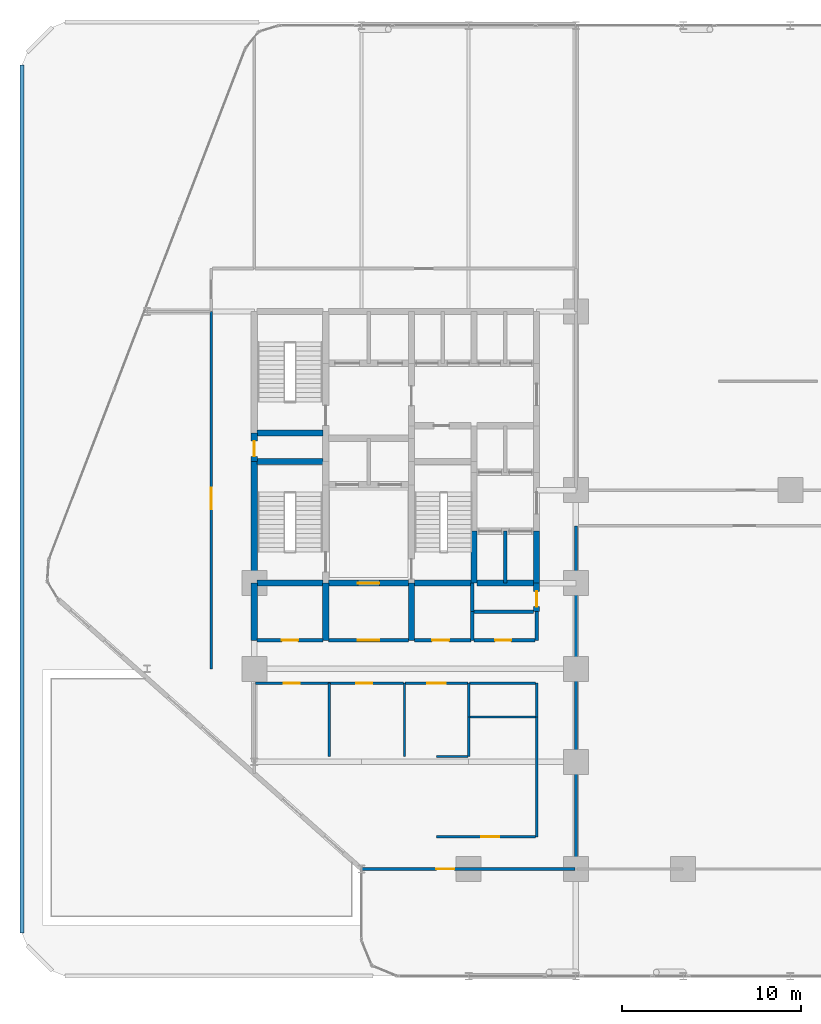
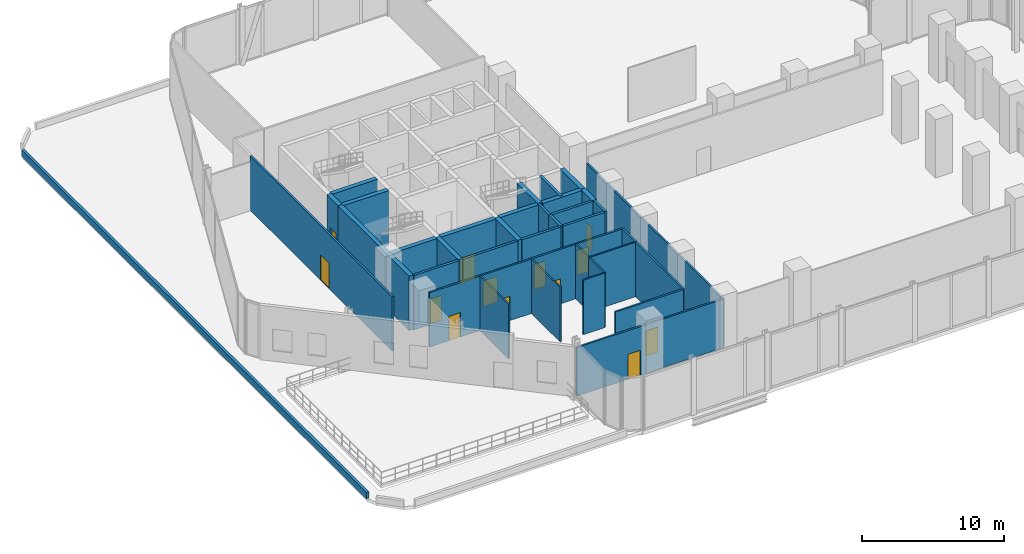
# One storey, part 24 of 29: 39 walls, 13 doors, 13 openings.
"""IFC4 building model written with IfcOpenShell, lengths in metres."""

from ifc_helpers import new_model, si_unit, direction, frame, frame_2d, origin, place, context, subcontext, project, spatial, rectangle, extrude, material, layer, layer_set, type_object, element, fill, save


model = new_model("IFC4")

# Units and contexts
model_context = context("Model", 3, precision=1e-05, world=origin(), true_north=direction((0.0, 1.0)))
body_context = subcontext(model_context, "Body", "Model", "MODEL_VIEW")
ifc_project = project(units=[si_unit("LENGTHUNIT", "METRE"), si_unit("AREAUNIT", "SQUARE_METRE"), si_unit("VOLUMEUNIT", "CUBIC_METRE"), si_unit("PLANEANGLEUNIT", "RADIAN"), si_unit("MASSUNIT", "GRAM", prefix="KILO")], contexts=[model_context])

# Site, building, storey
site_placement = place(None, origin())
site = spatial("IfcSite", under=ifc_project, at=site_placement, CompositionType="ELEMENT")
building_placement = place(site_placement, origin())
building = spatial("IfcBuilding", under=site, at=building_placement, Name="Keshet Zoharim Tower", CompositionType="ELEMENT")
storey_placement = place(building_placement, frame((0.0, 0.0, 19.0)))
storey = spatial("IfcBuildingStorey", under=building, at=storey_placement, Name="L03", CompositionType="ELEMENT", Elevation=19.0)

# Wall, opening, door
ifc_material_1 = material(Name="Gypsum Plasterboard", Category="gypsum")
ifc_layer_1 = layer(ifc_material_1, 0.14990234375)
ifc_layer_set_1 = layer_set([ifc_layer_1], Name="Gypsum Plasterboard")
wall_type_1 = type_object("IfcWallType", Name="WL-CLIN-150", PredefinedType="STANDARD", material=ifc_layer_set_1)
wall_1_placement = place(storey_placement, frame((12.60009765625, 17.89990234375, 0.0), z_axis=(0.0, 0.0, 1.0), x_axis=(0.0, 1.0, 0.0)))
wall_1 = element("IfcWall", 1, at=wall_1_placement, inside=storey, type_object=wall_type_1, Name="L03 Interior Wall 001", PredefinedType="STANDARD", context=body_context, shape_type="SweptSolid", body=[
    extrude(rectangle(XDim=20.0, YDim=0.14990234375, at=frame_2d((10.0, 0.0))), origin(), (0.0, 0.0, 1.0), 4.68505859375),
])
opening_1_placement = place(wall_1_placement, frame((8.929931640625, 0.0, 0.0)))
opening_1 = element("IfcOpeningElement", 2, at=opening_1_placement, cuts=wall_1, Name="Opening D-F612", PredefinedType="OPENING", context=body_context, shape_type="SweptSolid", body=[
    extrude(rectangle(XDim=1.199951171875, YDim=2.199951171875, at=frame_2d((0.60009765625, 1.10009765625))), frame((0.0, 0.0849609375, 0.0), z_axis=(0.0, -1.0, 0.0), x_axis=(1.0, 0.0, 0.0)), (0.0, 0.0, 1.0), 0.169921875),
])
ifc_material_2 = material(Name="Hardwood Timber", Category="wood")
door_type_1 = type_object("IfcDoorType", Name="DR-FD60-120", OperationType="NOTDEFINED", PredefinedType="DOOR", material=ifc_material_2)
door_1_placement = place(opening_1_placement, origin())
door_1 = element("IfcDoor", 3, at=door_1_placement, inside=storey, type_object=door_type_1, Name="L03 Resident Wellness Lounge Door", OperationType="SINGLE_SWING_RIGHT", OverallHeight=2.199951171875, OverallWidth=1.199951171875, PredefinedType="DOOR", context=body_context, shape_type="SweptSolid", body=[
    extrude(rectangle(XDim=1.199951171875, YDim=2.199951171875, at=frame_2d((0.60009765625, 1.10009765625))), frame((0.0, 0.02490234375, 0.0), z_axis=(0.0, -1.0, 0.0), x_axis=(1.0, 0.0, 0.0)), (0.0, 0.0, 1.0), 0.050048828125),
])
fill(opening_1, door_1)

# Walls
wall_2_placement = place(storey_placement, frame((30.800048828125, 8.5, 0.0), z_axis=(0.0, 0.0, 1.0), x_axis=(0.0, 1.0, 0.0)))
element("IfcWall", 4, at=wall_2_placement, inside=storey, type_object=wall_type_1, Name="L03 Interior Wall 038", PredefinedType="STANDARD", context=body_context, shape_type="SweptSolid", body=[
    extrude(rectangle(XDim=6.699951171875, YDim=0.14990234375, at=frame_2d((3.35009765625, 0.0))), origin(), (0.0, 0.0, 1.0), 4.68505859375),
])
wall_3_placement = place(storey_placement, frame((30.800048828125, 15.199951171875, 0.0), z_axis=(0.0, 0.0, 1.0), x_axis=(0.0, 1.0, 0.0)))
element("IfcWall", 5, at=wall_3_placement, inside=storey, type_object=wall_type_1, Name="L03 Interior Wall 039", PredefinedType="STANDARD", context=body_context, shape_type="SweptSolid", body=[
    extrude(rectangle(XDim=1.900146484375, YDim=0.14990234375, at=frame_2d((0.9501953125, 0.0))), origin(), (0.0, 0.0, 1.0), 4.68505859375),
])
wall_4_placement = place(storey_placement, frame((33.0, 6.699951171875, 0.0), z_axis=(0.0, 0.0, 1.0), x_axis=(0.0, 1.0, 0.0)))
element("IfcWall", 6, at=wall_4_placement, inside=storey, type_object=wall_type_1, Name="L03 Interior Wall 047", PredefinedType="STANDARD", context=body_context, shape_type="SweptSolid", body=[
    extrude(rectangle(XDim=19.199951171875, YDim=0.14990234375, at=frame_2d((9.60009765625, 0.0))), origin(), (0.0, 0.0, 1.0), 4.18505859375),
])

# Wall, opening, door
wall_5_placement = place(storey_placement, frame((21.010009765625, 6.699951171875, 0.0), z_axis=(0.0, 0.0, 1.0), x_axis=(1.0, 0.0, 0.0)))
wall_5 = element("IfcWall", 7, at=wall_5_placement, inside=storey, type_object=wall_type_1, Name="L03 Interior Wall 051", PredefinedType="STANDARD", context=body_context, shape_type="SweptSolid", body=[
    extrude(rectangle(XDim=11.929931640625, YDim=0.14990234375, at=frame_2d((5.96484375, 0.0))), origin(), (0.0, 0.0, 1.0), 4.18505859375),
])
opening_2_placement = place(wall_5_placement, frame((4.18408203125, 0.0, 0.0)))
opening_2 = element("IfcOpeningElement", 8, at=opening_2_placement, cuts=wall_5, Name="Opening D-F310", PredefinedType="OPENING", context=body_context, shape_type="SweptSolid", body=[
    extrude(rectangle(XDim=1.0, YDim=2.14990234375, at=frame_2d((0.5, 1.074951171875))), frame((0.0, 0.0849609375, 0.0), z_axis=(0.0, -1.0, 0.0), x_axis=(1.0, 0.0, 0.0)), (0.0, 0.0, 1.0), 0.169921875),
])
door_type_2 = type_object("IfcDoorType", Name="DR-FD30-100", OperationType="NOTDEFINED", PredefinedType="DOOR", material=ifc_material_2)
door_2_placement = place(opening_2_placement, origin())
door_2 = element("IfcDoor", 9, at=door_2_placement, inside=storey, type_object=door_type_2, Name="L03 South Sun Conservatory Door", OperationType="SINGLE_SWING_RIGHT", OverallHeight=2.14990234375, OverallWidth=1.0, PredefinedType="DOOR", context=body_context, shape_type="SweptSolid", body=[
    extrude(rectangle(XDim=1.0, YDim=2.14990234375, at=frame_2d((0.5, 1.074951171875))), frame((0.0, 0.02490234375, 0.0), z_axis=(0.0, -1.0, 0.0), x_axis=(1.0, 0.0, 0.0)), (0.0, 0.0, 1.0), 0.050048828125),
])
fill(opening_2, door_2)

wall_6_placement = place(storey_placement, frame((25.199951171875, 8.5, 0.0), z_axis=(0.0, 0.0, 1.0), x_axis=(1.0, 0.0, 0.0)))
wall_6 = element("IfcWall", 10, at=wall_6_placement, inside=storey, type_object=wall_type_1, Name="L03 Interior Wall 053", PredefinedType="STANDARD", context=body_context, shape_type="SweptSolid", body=[
    extrude(rectangle(XDim=5.5400390625, YDim=0.14990234375, at=frame_2d((2.77001953125, 0.0))), origin(), (0.0, 0.0, 1.0), 4.68505859375),
])
opening_3_placement = place(wall_6_placement, frame((2.513916015625, 0.0, 0.0)))
opening_3 = element("IfcOpeningElement", 11, at=opening_3_placement, cuts=wall_6, Name="Opening D-F310", PredefinedType="OPENING", context=body_context, shape_type="SweptSolid", body=[
    extrude(rectangle(XDim=1.0, YDim=2.14990234375, at=frame_2d((0.5, 1.074951171875))), frame((0.0, 0.0849609375, 0.0), z_axis=(0.0, -1.0, 0.0), x_axis=(1.0, 0.0, 0.0)), (0.0, 0.0, 1.0), 0.169921875),
])
door_3_placement = place(opening_3_placement, origin())
door_3 = element("IfcDoor", 12, at=door_3_placement, inside=storey, type_object=door_type_2, Name="L03 Community Kitchen Door", OperationType="SINGLE_SWING_LEFT", OverallHeight=2.14990234375, OverallWidth=1.0, PredefinedType="DOOR", context=body_context, shape_type="SweptSolid", body=[
    extrude(rectangle(XDim=1.0, YDim=2.14990234375, at=frame_2d((0.5, 1.074951171875))), frame((0.0, 0.02490234375, 0.0), z_axis=(0.0, -1.0, 0.0), x_axis=(1.0, 0.0, 0.0)), (0.0, 0.0, 1.0), 0.050048828125),
])
fill(opening_3, door_3)

# Wall, openings, doors
wall_7_placement = place(storey_placement, frame((15.06005859375, 17.10009765625, 0.0), z_axis=(0.0, 0.0, 1.0), x_axis=(1.0, 0.0, 0.0)))
wall_7 = element("IfcWall", 13, at=wall_7_placement, inside=storey, type_object=wall_type_1, Name="L03 Interior Wall 056", PredefinedType="STANDARD", context=body_context, shape_type="SweptSolid", body=[
    extrude(rectangle(XDim=8.294921875, YDim=0.14990234375, at=frame_2d((4.1474609375, 0.0))), origin(), (0.0, 0.0, 1.0), 4.68505859375),
])
opening_4_placement = place(wall_7_placement, frame((1.594970703125, 0.0, 0.0)))
opening_4 = element("IfcOpeningElement", 14, at=opening_4_placement, cuts=wall_7, Name="Opening D-WT90", PredefinedType="OPENING", context=body_context, shape_type="SweptSolid", body=[
    extrude(rectangle(XDim=0.89990234375, YDim=2.10009765625, at=frame_2d((0.449951171875, 1.050048828125))), frame((0.0, 0.0849609375, 0.0), z_axis=(0.0, -1.0, 0.0), x_axis=(1.0, 0.0, 0.0)), (0.0, 0.0, 1.0), 0.169921875),
])
opening_5_placement = place(wall_7_placement, frame((5.64501953125, 0.0, 0.0)))
opening_5 = element("IfcOpeningElement", 15, at=opening_5_placement, cuts=wall_7, Name="Opening D-WT90", PredefinedType="OPENING", context=body_context, shape_type="SweptSolid", body=[
    extrude(rectangle(XDim=0.89990234375, YDim=2.10009765625, at=frame_2d((0.449951171875, 1.050048828125))), frame((0.0, 0.0849609375, 0.0), z_axis=(0.0, -1.0, 0.0), x_axis=(1.0, 0.0, 0.0)), (0.0, 0.0, 1.0), 0.169921875),
])
door_type_3 = type_object("IfcDoorType", Name="DR-WET-090", OperationType="NOTDEFINED", PredefinedType="DOOR", material=ifc_material_2)
door_4_placement = place(opening_4_placement, origin())
door_4 = element("IfcDoor", 16, at=door_4_placement, inside=storey, type_object=door_type_3, Name="L03 Public WCM Door", OperationType="SINGLE_SWING_RIGHT", OverallHeight=2.10009765625, OverallWidth=0.89990234375, PredefinedType="DOOR", context=body_context, shape_type="SweptSolid", body=[
    extrude(rectangle(XDim=0.89990234375, YDim=2.10009765625, at=frame_2d((0.449951171875, 1.050048828125))), frame((0.0, 0.02490234375, 0.0), z_axis=(0.0, -1.0, 0.0), x_axis=(1.0, 0.0, 0.0)), (0.0, 0.0, 1.0), 0.050048828125),
])
fill(opening_4, door_4)
door_5_placement = place(opening_5_placement, origin())
door_5 = element("IfcDoor", 17, at=door_5_placement, inside=storey, type_object=door_type_3, Name="L03 Public WCF Door", OperationType="SINGLE_SWING_LEFT", OverallHeight=2.10009765625, OverallWidth=0.89990234375, PredefinedType="DOOR", context=body_context, shape_type="SweptSolid", body=[
    extrude(rectangle(XDim=0.89990234375, YDim=2.10009765625, at=frame_2d((0.449951171875, 1.050048828125))), frame((0.0, 0.02490234375, 0.0), z_axis=(0.0, -1.0, 0.0), x_axis=(1.0, 0.0, 0.0)), (0.0, 0.0, 1.0), 0.050048828125),
])
fill(opening_5, door_5)

# Wall, opening, door
wall_8_placement = place(storey_placement, frame((23.445068359375, 17.10009765625, 0.0), z_axis=(0.0, 0.0, 1.0), x_axis=(1.0, 0.0, 0.0)))
wall_8 = element("IfcWall", 18, at=wall_8_placement, inside=storey, type_object=wall_type_1, Name="L03 Interior Wall 057", PredefinedType="STANDARD", context=body_context, shape_type="SweptSolid", body=[
    extrude(rectangle(XDim=3.510009765625, YDim=0.14990234375, at=frame_2d((1.7548828125, 0.0))), origin(), (0.0, 0.0, 1.0), 4.68505859375),
])
opening_6_placement = place(wall_8_placement, frame((1.22998046875, 0.0, 0.0)))
opening_6 = element("IfcOpeningElement", 19, at=opening_6_placement, cuts=wall_8, Name="Opening D-AC10", PredefinedType="OPENING", context=body_context, shape_type="SweptSolid", body=[
    extrude(rectangle(XDim=1.050048828125, YDim=2.14990234375, at=frame_2d((0.52490234375, 1.074951171875))), frame((0.0, 0.0849609375, 0.0), z_axis=(0.0, -1.0, 0.0), x_axis=(1.0, 0.0, 0.0)), (0.0, 0.0, 1.0), 0.169921875),
])
door_type_4 = type_object("IfcDoorType", Name="DR-ACC-105", OperationType="NOTDEFINED", PredefinedType="DOOR", material=ifc_material_2)
door_6_placement = place(opening_6_placement, origin())
door_6 = element("IfcDoor", 20, at=door_6_placement, inside=storey, type_object=door_type_4, Name="L03 Public WCA Door", OperationType="SINGLE_SWING_RIGHT", OverallHeight=2.14990234375, OverallWidth=1.050048828125, PredefinedType="DOOR", context=body_context, shape_type="SweptSolid", body=[
    extrude(rectangle(XDim=1.050048828125, YDim=2.14990234375, at=frame_2d((0.52490234375, 1.074951171875))), frame((0.0, 0.02490234375, 0.0), z_axis=(0.0, -1.0, 0.0), x_axis=(1.0, 0.0, 0.0)), (0.0, 0.0, 1.0), 0.050048828125),
])
fill(opening_6, door_6)

# Walls
wall_9_placement = place(storey_placement, frame((27.044921875, 17.10009765625, 0.0), z_axis=(0.0, 0.0, 1.0), x_axis=(1.0, 0.0, 0.0)))
element("IfcWall", 21, at=wall_9_placement, inside=storey, type_object=wall_type_1, Name="L03 Interior Wall 058", PredefinedType="STANDARD", context=body_context, shape_type="SweptSolid", body=[
    extrude(rectangle(XDim=3.695068359375, YDim=0.14990234375, at=frame_2d((1.84765625, 0.0))), origin(), (0.0, 0.0, 1.0), 4.68505859375),
])
ifc_material_3 = material(Name="Concrete C60/75", Category="concrete")
ifc_layer_2 = layer(ifc_material_3, 0.35009765625)
ifc_layer_set_2 = layer_set([ifc_layer_2], Name="Concrete C60/75")
wall_type_2 = type_object("IfcWallType", Name="WL-CORE-350", PredefinedType="SHEAR", material=ifc_layer_set_2)
wall_10_placement = place(storey_placement, frame((15.0, 19.5, 0.0), z_axis=(0.0, 0.0, 1.0), x_axis=(0.0, 1.0, 0.0)))
element("IfcWall", 22, at=wall_10_placement, inside=storey, type_object=wall_type_2, Name="L03 Core Shear Wall 004", PredefinedType="SHEAR", context=body_context, shape_type="SweptSolid", body=[
    extrude(rectangle(XDim=3.199951171875, YDim=0.35009765625, at=frame_2d((1.60009765625, 0.0))), origin(), (0.0, 0.0, 1.0), 4.68505859375),
])
wall_11_placement = place(storey_placement, frame((15.0, 22.699951171875, 0.0), z_axis=(0.0, 0.0, 1.0), x_axis=(0.0, 1.0, 0.0)))
element("IfcWall", 23, at=wall_11_placement, inside=storey, type_object=wall_type_2, Name="L03 Core Shear Wall 005", PredefinedType="SHEAR", context=body_context, shape_type="SweptSolid", body=[
    extrude(rectangle(XDim=6.800048828125, YDim=0.35009765625, at=frame_2d((3.39990234375, 0.0))), origin(), (0.0, 0.0, 1.0), 4.68505859375),
])

# Wall, opening, door
wall_12_placement = place(storey_placement, frame((15.0, 29.5, 0.0), z_axis=(0.0, 0.0, 1.0), x_axis=(0.0, 1.0, 0.0)))
wall_12 = element("IfcWall", 24, at=wall_12_placement, inside=storey, type_object=wall_type_2, Name="L03 Core Shear Wall 006", PredefinedType="SHEAR", context=body_context, shape_type="SweptSolid", body=[
    extrude(rectangle(XDim=1.60009765625, YDim=0.35009765625, at=frame_2d((0.800048828125, 0.0))), origin(), (0.0, 0.0, 1.0), 4.68505859375),
])
opening_7_placement = place(wall_12_placement, frame((0.287109375, 0.0, 0.0)))
opening_7 = element("IfcOpeningElement", 25, at=opening_7_placement, cuts=wall_12, Name="Opening D-RS85", PredefinedType="OPENING", context=body_context, shape_type="SweptSolid", body=[
    extrude(rectangle(XDim=0.85009765625, YDim=2.10009765625, at=frame_2d((0.425048828125, 1.050048828125))), frame((0.0, 0.18505859375, 0.0), z_axis=(0.0, -1.0, 0.0), x_axis=(1.0, 0.0, 0.0)), (0.0, 0.0, 1.0), 0.3701171875),
])
door_type_5 = type_object("IfcDoorType", Name="DR-RIS-085", OperationType="NOTDEFINED", PredefinedType="DOOR", material=ifc_material_2)
door_7_placement = place(opening_7_placement, origin())
door_7 = element("IfcDoor", 26, at=door_7_placement, inside=storey, type_object=door_type_5, Name="L03 Electrical Riser Access Cupboard Door", OperationType="SINGLE_SWING_RIGHT", OverallHeight=2.10009765625, OverallWidth=0.85009765625, PredefinedType="DOOR", context=body_context, shape_type="SweptSolid", body=[
    extrude(rectangle(XDim=0.85009765625, YDim=2.10009765625, at=frame_2d((0.425048828125, 1.050048828125))), frame((0.0, 0.02490234375, 0.0), z_axis=(0.0, -1.0, 0.0), x_axis=(1.0, 0.0, 0.0)), (0.0, 0.0, 1.0), 0.050048828125),
])
fill(opening_7, door_7)

# Walls
for number, where, z_axis, x_axis, name in (
    (27, (19.0, 19.5, 0.0), (0.0, 0.0, 1.0), (0.0, 1.0, 0.0), "L03 Core Shear Wall 009"),
    (28, (23.800048828125, 19.5, 0.0), (0.0, 0.0, 1.0), (0.0, 1.0, 0.0), "L03 Core Shear Wall 018"),
):
    element("IfcWall", number, at=place(storey_placement, frame(where, z_axis=z_axis, x_axis=x_axis)), inside=storey, type_object=wall_type_2, Name=name, PredefinedType="SHEAR", context=body_context, shape_type="SweptSolid", body=[
        extrude(rectangle(XDim=3.199951171875, YDim=0.35009765625, at=frame_2d((1.60009765625, 0.0))), origin(), (0.0, 0.0, 1.0), 4.68505859375),
    ])
wall_13_placement = place(storey_placement, frame((27.300048828125, 22.699951171875, 0.0), z_axis=(0.0, 0.0, 1.0), x_axis=(0.0, 1.0, 0.0)))
element("IfcWall", 29, at=wall_13_placement, inside=storey, type_object=wall_type_2, Name="L03 Core Shear Wall 030", PredefinedType="SHEAR", context=body_context, shape_type="SweptSolid", body=[
    extrude(rectangle(XDim=2.900146484375, YDim=0.35009765625, at=frame_2d((1.4501953125, 0.0))), origin(), (0.0, 0.0, 1.0), 4.68505859375),
])

# Wall, opening, door
wall_14_placement = place(storey_placement, frame((30.800048828125, 21.10009765625, 0.0), z_axis=(0.0, 0.0, 1.0), x_axis=(0.0, 1.0, 0.0)))
wall_14 = element("IfcWall", 30, at=wall_14_placement, inside=storey, type_object=wall_type_2, Name="L03 Core Shear Wall 041", PredefinedType="SHEAR", context=body_context, shape_type="SweptSolid", body=[
    extrude(rectangle(XDim=1.599853515625, YDim=0.35009765625, at=frame_2d((0.7998046875, 0.0))), origin(), (0.0, 0.0, 1.0), 4.68505859375),
])
opening_8_placement = place(wall_14_placement, frame((0.287109375, 0.0, 0.0)))
opening_8 = element("IfcOpeningElement", 31, at=opening_8_placement, cuts=wall_14, Name="Opening D-RS85", PredefinedType="OPENING", context=body_context, shape_type="SweptSolid", body=[
    extrude(rectangle(XDim=0.85009765625, YDim=2.10009765625, at=frame_2d((0.425048828125, 1.050048828125))), frame((0.0, 0.18505859375, 0.0), z_axis=(0.0, -1.0, 0.0), x_axis=(1.0, 0.0, 0.0)), (0.0, 0.0, 1.0), 0.3701171875),
])
door_8_placement = place(opening_8_placement, origin())
door_8 = element("IfcDoor", 32, at=door_8_placement, inside=storey, type_object=door_type_5, Name="L03 Linen Store Door", OperationType="SINGLE_SWING_LEFT", OverallHeight=2.10009765625, OverallWidth=0.85009765625, PredefinedType="DOOR", context=body_context, shape_type="SweptSolid", body=[
    extrude(rectangle(XDim=0.85009765625, YDim=2.10009765625, at=frame_2d((0.425048828125, 1.050048828125))), frame((0.0, 0.02490234375, 0.0), z_axis=(0.0, -1.0, 0.0), x_axis=(1.0, 0.0, 0.0)), (0.0, 0.0, 1.0), 0.050048828125),
])
fill(opening_8, door_8)

# Walls
wall_15_placement = place(storey_placement, frame((30.800048828125, 22.699951171875, 0.0), z_axis=(0.0, 0.0, 1.0), x_axis=(0.0, 1.0, 0.0)))
element("IfcWall", 33, at=wall_15_placement, inside=storey, type_object=wall_type_2, Name="L03 Core Shear Wall 042", PredefinedType="SHEAR", context=body_context, shape_type="SweptSolid", body=[
    extrude(rectangle(XDim=2.900146484375, YDim=0.35009765625, at=frame_2d((1.4501953125, 0.0))), origin(), (0.0, 0.0, 1.0), 4.68505859375),
])
wall_16_placement = place(storey_placement, frame((15.159912109375, 22.699951171875, 0.0), z_axis=(0.0, 0.0, 1.0), x_axis=(1.0, 0.0, 0.0)))
element("IfcWall", 34, at=wall_16_placement, inside=storey, type_object=wall_type_2, Name="L03 Core Shear Wall 065", PredefinedType="SHEAR", context=body_context, shape_type="SweptSolid", body=[
    extrude(rectangle(XDim=3.68017578125, YDim=0.35009765625, at=frame_2d((1.840087890625, 0.0))), origin(), (0.0, 0.0, 1.0), 4.68505859375),
])

# Wall, opening, door
wall_17_placement = place(storey_placement, frame((19.159912109375, 22.699951171875, 0.0), z_axis=(0.0, 0.0, 1.0), x_axis=(1.0, 0.0, 0.0)))
wall_17 = element("IfcWall", 35, at=wall_17_placement, inside=storey, type_object=wall_type_2, Name="L03 Core Shear Wall 066", PredefinedType="SHEAR", context=body_context, shape_type="SweptSolid", body=[
    extrude(rectangle(XDim=4.47998046875, YDim=0.35009765625, at=frame_2d((2.239990234375, 0.0))), origin(), (0.0, 0.0, 1.0), 4.68505859375),
])
opening_9_placement = place(wall_17_placement, frame((1.639892578125, 0.0, 0.0)))
opening_9 = element("IfcOpeningElement", 36, at=opening_9_placement, cuts=wall_17, Name="Opening D-F612", PredefinedType="OPENING", context=body_context, shape_type="SweptSolid", body=[
    extrude(rectangle(XDim=1.199951171875, YDim=2.199951171875, at=frame_2d((0.60009765625, 1.10009765625))), frame((0.0, 0.18505859375, 0.0), z_axis=(0.0, -1.0, 0.0), x_axis=(1.0, 0.0, 0.0)), (0.0, 0.0, 1.0), 0.3701171875),
])
door_9_placement = place(opening_9_placement, origin())
door_9 = element("IfcDoor", 37, at=door_9_placement, inside=storey, type_object=door_type_1, Name="L03 South Core Lobby Fire Door", OperationType="SINGLE_SWING_LEFT", OverallHeight=2.199951171875, OverallWidth=1.199951171875, PredefinedType="DOOR", context=body_context, shape_type="SweptSolid", body=[
    extrude(rectangle(XDim=1.199951171875, YDim=2.199951171875, at=frame_2d((0.60009765625, 1.10009765625))), frame((0.0, 0.02490234375, 0.0), z_axis=(0.0, -1.0, 0.0), x_axis=(1.0, 0.0, 0.0)), (0.0, 0.0, 1.0), 0.050048828125),
])
fill(opening_9, door_9)

# Walls
wall_18_placement = place(storey_placement, frame((23.9599609375, 22.699951171875, 0.0), z_axis=(0.0, 0.0, 1.0), x_axis=(1.0, 0.0, 0.0)))
element("IfcWall", 38, at=wall_18_placement, inside=storey, type_object=wall_type_2, Name="L03 Core Shear Wall 067", PredefinedType="SHEAR", context=body_context, shape_type="SweptSolid", body=[
    extrude(rectangle(XDim=3.155029296875, YDim=0.35009765625, at=frame_2d((1.57763671875, 0.0))), origin(), (0.0, 0.0, 1.0), 4.68505859375),
])
wall_19_placement = place(storey_placement, frame((27.4599609375, 22.699951171875, 0.0), z_axis=(0.0, 0.0, 1.0), x_axis=(1.0, 0.0, 0.0)))
element("IfcWall", 39, at=wall_19_placement, inside=storey, type_object=wall_type_2, Name="L03 Core Shear Wall 068", PredefinedType="SHEAR", context=body_context, shape_type="SweptSolid", body=[
    extrude(rectangle(XDim=3.179931640625, YDim=0.35009765625, at=frame_2d((1.58984375, 0.0))), origin(), (0.0, 0.0, 1.0), 4.68505859375),
])
for number, where, z_axis, x_axis, name in (
    (40, (15.159912109375, 29.5, 0.0), (0.0, 0.0, 1.0), (1.0, 0.0, 0.0), "L03 Core Shear Wall 074"),
    (41, (15.159912109375, 31.10009765625, 0.0), (0.0, 0.0, 1.0), (1.0, 0.0, 0.0), "L03 Core Shear Wall 077"),
):
    element("IfcWall", number, at=place(storey_placement, frame(where, z_axis=z_axis, x_axis=x_axis)), inside=storey, type_object=wall_type_2, Name=name, PredefinedType="SHEAR", context=body_context, shape_type="SweptSolid", body=[
        extrude(rectangle(XDim=3.68017578125, YDim=0.35009765625, at=frame_2d((1.840087890625, 0.0))), origin(), (0.0, 0.0, 1.0), 4.68505859375),
    ])
ifc_material_4 = material(Name="Concrete C50/60", Category="concrete")
ifc_layer_3 = layer(ifc_material_4, 0.199951171875)
ifc_layer_set_3 = layer_set([ifc_layer_3], Name="Concrete C50/60")
wall_type_3 = type_object("IfcWallType", Name="WL-FIRE-200", PredefinedType="STANDARD", material=ifc_layer_set_3)
wall_20_placement = place(storey_placement, frame((27.199951171875, 19.5, 0.0), z_axis=(0.0, 0.0, 1.0), x_axis=(0.0, 1.0, 0.0)))
element("IfcWall", 42, at=wall_20_placement, inside=storey, type_object=wall_type_3, Name="L03 Interior Wall 028", PredefinedType="STANDARD", context=body_context, shape_type="SweptSolid", body=[
    extrude(rectangle(XDim=1.60009765625, YDim=0.199951171875, at=frame_2d((0.800048828125, 0.0))), origin(), (0.0, 0.0, 1.0), 4.68505859375),
])
wall_21_placement = place(storey_placement, frame((27.199951171875, 21.10009765625, 0.0), z_axis=(0.0, 0.0, 1.0), x_axis=(0.0, 1.0, 0.0)))
element("IfcWall", 43, at=wall_21_placement, inside=storey, type_object=wall_type_3, Name="L03 Interior Wall 029", PredefinedType="STANDARD", context=body_context, shape_type="SweptSolid", body=[
    extrude(rectangle(XDim=1.599853515625, YDim=0.199951171875, at=frame_2d((0.7998046875, 0.0))), origin(), (0.0, 0.0, 1.0), 4.68505859375),
])
wall_22_placement = place(storey_placement, frame((29.050048828125, 22.699951171875, 0.0), z_axis=(0.0, 0.0, 1.0), x_axis=(0.0, 1.0, 0.0)))
element("IfcWall", 44, at=wall_22_placement, inside=storey, type_object=wall_type_3, Name="L03 Interior Wall 035", PredefinedType="STANDARD", context=body_context, shape_type="SweptSolid", body=[
    extrude(rectangle(XDim=2.900146484375, YDim=0.199951171875, at=frame_2d((1.4501953125, 0.0))), origin(), (0.0, 0.0, 1.0), 4.68505859375),
])
wall_23_placement = place(storey_placement, frame((30.800048828125, 19.5, 0.0), z_axis=(0.0, 0.0, 1.0), x_axis=(0.0, 1.0, 0.0)))
element("IfcWall", 45, at=wall_23_placement, inside=storey, type_object=wall_type_3, Name="L03 Interior Wall 040", PredefinedType="STANDARD", context=body_context, shape_type="SweptSolid", body=[
    extrude(rectangle(XDim=1.60009765625, YDim=0.199951171875, at=frame_2d((0.800048828125, 0.0))), origin(), (0.0, 0.0, 1.0), 4.68505859375),
])

# Wall, opening, door
wall_24_placement = place(storey_placement, frame((15.159912109375, 19.5, 0.0), z_axis=(0.0, 0.0, 1.0), x_axis=(1.0, 0.0, 0.0)))
wall_24 = element("IfcWall", 46, at=wall_24_placement, inside=storey, type_object=wall_type_3, Name="L03 Interior Wall 060", PredefinedType="STANDARD", context=body_context, shape_type="SweptSolid", body=[
    extrude(rectangle(XDim=3.68017578125, YDim=0.199951171875, at=frame_2d((1.840087890625, 0.0))), origin(), (0.0, 0.0, 1.0), 4.68505859375),
])
opening_10_placement = place(wall_24_placement, frame((1.389892578125, 0.0, 0.0)))
opening_10 = element("IfcOpeningElement", 47, at=opening_10_placement, cuts=wall_24, Name="Opening D-F690", PredefinedType="OPENING", context=body_context, shape_type="SweptSolid", body=[
    extrude(rectangle(XDim=0.89990234375, YDim=2.14990234375, at=frame_2d((0.449951171875, 1.074951171875))), frame((0.0, 0.10986328125, 0.0), z_axis=(0.0, -1.0, 0.0), x_axis=(1.0, 0.0, 0.0)), (0.0, 0.0, 1.0), 0.219970703125),
])
door_type_6 = type_object("IfcDoorType", Name="DR-FD60-090", OperationType="NOTDEFINED", PredefinedType="DOOR", material=ifc_material_2)
door_10_placement = place(opening_10_placement, origin())
door_10 = element("IfcDoor", 48, at=door_10_placement, inside=storey, type_object=door_type_6, Name="L03 Refuse Store Door", OperationType="SINGLE_SWING_LEFT", OverallHeight=2.14990234375, OverallWidth=0.89990234375, PredefinedType="DOOR", context=body_context, shape_type="SweptSolid", body=[
    extrude(rectangle(XDim=0.89990234375, YDim=2.14990234375, at=frame_2d((0.449951171875, 1.074951171875))), frame((0.0, 0.02490234375, 0.0), z_axis=(0.0, -1.0, 0.0), x_axis=(1.0, 0.0, 0.0)), (0.0, 0.0, 1.0), 0.050048828125),
])
fill(opening_10, door_10)

wall_25_placement = place(storey_placement, frame((19.159912109375, 19.5, 0.0), z_axis=(0.0, 0.0, 1.0), x_axis=(1.0, 0.0, 0.0)))
wall_25 = element("IfcWall", 49, at=wall_25_placement, inside=storey, type_object=wall_type_3, Name="L03 Interior Wall 061", PredefinedType="STANDARD", context=body_context, shape_type="SweptSolid", body=[
    extrude(rectangle(XDim=4.47998046875, YDim=0.199951171875, at=frame_2d((2.239990234375, 0.0))), origin(), (0.0, 0.0, 1.0), 4.68505859375),
])
opening_11_placement = place(wall_25_placement, frame((1.639892578125, 0.0, 0.0)))
opening_11 = element("IfcOpeningElement", 50, at=opening_11_placement, cuts=wall_25, Name="Opening D-F612", PredefinedType="OPENING", context=body_context, shape_type="SweptSolid", body=[
    extrude(rectangle(XDim=1.199951171875, YDim=2.199951171875, at=frame_2d((0.60009765625, 1.10009765625))), frame((0.0, 0.10986328125, 0.0), z_axis=(0.0, -1.0, 0.0), x_axis=(1.0, 0.0, 0.0)), (0.0, 0.0, 1.0), 0.219970703125),
])
door_11_placement = place(opening_11_placement, origin())
door_11 = element("IfcDoor", 51, at=door_11_placement, inside=storey, type_object=door_type_1, Name="L03 South Vestibule Corridor Door", OperationType="SINGLE_SWING_RIGHT", OverallHeight=2.199951171875, OverallWidth=1.199951171875, PredefinedType="DOOR", context=body_context, shape_type="SweptSolid", body=[
    extrude(rectangle(XDim=1.199951171875, YDim=2.199951171875, at=frame_2d((0.60009765625, 1.10009765625))), frame((0.0, 0.02490234375, 0.0), z_axis=(0.0, -1.0, 0.0), x_axis=(1.0, 0.0, 0.0)), (0.0, 0.0, 1.0), 0.050048828125),
])
fill(opening_11, door_11)

wall_26_placement = place(storey_placement, frame((23.9599609375, 19.5, 0.0), z_axis=(0.0, 0.0, 1.0), x_axis=(1.0, 0.0, 0.0)))
wall_26 = element("IfcWall", 52, at=wall_26_placement, inside=storey, type_object=wall_type_3, Name="L03 Interior Wall 062", PredefinedType="STANDARD", context=body_context, shape_type="SweptSolid", body=[
    extrude(rectangle(XDim=3.155029296875, YDim=0.199951171875, at=frame_2d((1.57763671875, 0.0))), origin(), (0.0, 0.0, 1.0), 4.68505859375),
])
opening_12_placement = place(wall_26_placement, frame((0.990966796875, 0.0, 0.0)))
opening_12 = element("IfcOpeningElement", 53, at=opening_12_placement, cuts=wall_26, Name="Opening D-F695", PredefinedType="OPENING", context=body_context, shape_type="SweptSolid", body=[
    extrude(rectangle(XDim=0.949951171875, YDim=2.14990234375, at=frame_2d((0.47509765625, 1.074951171875))), frame((0.0, 0.10986328125, 0.0), z_axis=(0.0, -1.0, 0.0), x_axis=(1.0, 0.0, 0.0)), (0.0, 0.0, 1.0), 0.219970703125),
])
door_type_7 = type_object("IfcDoorType", Name="DR-FD60-095", OperationType="NOTDEFINED", PredefinedType="DOOR", material=ifc_material_2)
door_12_placement = place(opening_12_placement, origin())
door_12 = element("IfcDoor", 54, at=door_12_placement, inside=storey, type_object=door_type_7, Name="L03 Utility Room Door", OperationType="SINGLE_SWING_LEFT", OverallHeight=2.14990234375, OverallWidth=0.949951171875, PredefinedType="DOOR", context=body_context, shape_type="SweptSolid", body=[
    extrude(rectangle(XDim=0.949951171875, YDim=2.14990234375, at=frame_2d((0.47509765625, 1.074951171875))), frame((0.0, 0.02490234375, 0.0), z_axis=(0.0, -1.0, 0.0), x_axis=(1.0, 0.0, 0.0)), (0.0, 0.0, 1.0), 0.050048828125),
])
fill(opening_12, door_12)

wall_27_placement = place(storey_placement, frame((27.284912109375, 19.5, 0.0), z_axis=(0.0, 0.0, 1.0), x_axis=(1.0, 0.0, 0.0)))
wall_27 = element("IfcWall", 55, at=wall_27_placement, inside=storey, type_object=wall_type_3, Name="L03 Interior Wall 063", PredefinedType="STANDARD", context=body_context, shape_type="SweptSolid", body=[
    extrude(rectangle(XDim=3.43017578125, YDim=0.199951171875, at=frame_2d((1.715087890625, 0.0))), origin(), (0.0, 0.0, 1.0), 4.68505859375),
])
opening_13_placement = place(wall_27_placement, frame((1.19189453125, 0.0, 0.0)))
opening_13 = element("IfcOpeningElement", 56, at=opening_13_placement, cuts=wall_27, Name="Opening D-F690", PredefinedType="OPENING", context=body_context, shape_type="SweptSolid", body=[
    extrude(rectangle(XDim=0.89990234375, YDim=2.14990234375, at=frame_2d((0.449951171875, 1.074951171875))), frame((0.0, 0.10986328125, 0.0), z_axis=(0.0, -1.0, 0.0), x_axis=(1.0, 0.0, 0.0)), (0.0, 0.0, 1.0), 0.219970703125),
])
door_13_placement = place(opening_13_placement, origin())
door_13 = element("IfcDoor", 57, at=door_13_placement, inside=storey, type_object=door_type_6, Name="L03 Valve Room Door", OperationType="SINGLE_SWING_RIGHT", OverallHeight=2.14990234375, OverallWidth=0.89990234375, PredefinedType="DOOR", context=body_context, shape_type="SweptSolid", body=[
    extrude(rectangle(XDim=0.89990234375, YDim=2.14990234375, at=frame_2d((0.449951171875, 1.074951171875))), frame((0.0, 0.02490234375, 0.0), z_axis=(0.0, -1.0, 0.0), x_axis=(1.0, 0.0, 0.0)), (0.0, 0.0, 1.0), 0.050048828125),
])
fill(opening_13, door_13)

# Walls
wall_28_placement = place(storey_placement, frame((27.284912109375, 21.10009765625, 0.0), z_axis=(0.0, 0.0, 1.0), x_axis=(1.0, 0.0, 0.0)))
element("IfcWall", 58, at=wall_28_placement, inside=storey, type_object=wall_type_3, Name="L03 Interior Wall 064", PredefinedType="STANDARD", context=body_context, shape_type="SweptSolid", body=[
    extrude(rectangle(XDim=3.35498046875, YDim=0.199951171875, at=frame_2d((1.677490234375, 0.0))), origin(), (0.0, 0.0, 1.0), 4.68505859375),
])
ifc_material_5 = material(Name="Concrete C50/60 precast", Category="concrete")
ifc_layer_4 = layer(ifc_material_5, 0.219970703125)
ifc_layer_set_4 = layer_set([ifc_layer_4], Name="Concrete C50/60 precast")
wall_type_4 = type_object("IfcWallType", Name="WL-PAR-220", PredefinedType="PARAPET", material=ifc_layer_set_4)
wall_29_placement = place(storey_placement, frame((2.0, 3.114013671875, 0.0), z_axis=(0.0, 0.0, 1.0), x_axis=(0.0, 1.0, 0.0)))
element("IfcWall", 59, at=wall_29_placement, inside=storey, type_object=wall_type_4, Name="L03 Setback Roof Parapet 05", PredefinedType="PARAPET", context=body_context, shape_type="SweptSolid", body=[
    extrude(rectangle(XDim=48.572021484375, YDim=0.219970703125, at=frame_2d((24.2861328125, 0.0))), origin(), (0.0, 0.0, 1.0), 0.550048828125),
])
ifc_layer_5 = layer(ifc_material_1, 0.1201171875)
ifc_layer_set_5 = layer_set([ifc_layer_5], Name="Gypsum Plasterboard")
wall_type_5 = type_object("IfcWallType", Name="WL-PART-120", PredefinedType="PARTITIONING", material=ifc_layer_set_5)
wall_30_placement = place(storey_placement, frame((27.044921875, 15.199951171875, 0.0), z_axis=(0.0, 0.0, 1.0), x_axis=(1.0, 0.0, 0.0)))
element("IfcWall", 60, at=wall_30_placement, inside=storey, type_object=wall_type_5, Name="L03 Interior Wall 055", PredefinedType="PARTITIONING", context=body_context, shape_type="SweptSolid", body=[
    extrude(rectangle(XDim=3.695068359375, YDim=0.1201171875, at=frame_2d((1.84765625, 0.0))), origin(), (0.0, 0.0, 1.0), 4.68505859375),
])
ifc_layer_6 = layer(ifc_material_1, 0.1201171875)
ifc_layer_set_6 = layer_set([ifc_layer_6], Name="Gypsum Plasterboard")
wall_type_6 = type_object("IfcWallType", Name="WL-WET-120", PredefinedType="PARTITIONING", material=ifc_layer_set_6)
for number, where, z_axis, x_axis, name in (
    (61, (19.199951171875, 13.0, 0.0), (0.0, 0.0, 1.0), (0.0, 1.0, 0.0), "L03 Interior Wall 014"),
    (62, (23.39990234375, 13.0, 0.0), (0.0, 0.0, 1.0), (0.0, 1.0, 0.0), "L03 Interior Wall 017"),
):
    element("IfcWall", number, at=place(storey_placement, frame(where, z_axis=z_axis, x_axis=x_axis)), inside=storey, type_object=wall_type_6, Name=name, PredefinedType="PARTITIONING", context=body_context, shape_type="SweptSolid", body=[
        extrude(rectangle(XDim=4.10009765625, YDim=0.1201171875, at=frame_2d((2.050048828125, 0.0))), origin(), (0.0, 0.0, 1.0), 4.68505859375),
    ])
wall_31_placement = place(storey_placement, frame((27.0, 13.0, 0.0), z_axis=(0.0, 0.0, 1.0), x_axis=(0.0, 1.0, 0.0)))
element("IfcWall", 63, at=wall_31_placement, inside=storey, type_object=wall_type_6, Name="L03 Interior Wall 026", PredefinedType="PARTITIONING", context=body_context, shape_type="SweptSolid", body=[
    extrude(rectangle(XDim=2.199951171875, YDim=0.1201171875, at=frame_2d((1.10009765625, 0.0))), origin(), (0.0, 0.0, 1.0), 4.68505859375),
])
wall_32_placement = place(storey_placement, frame((27.0, 15.199951171875, 0.0), z_axis=(0.0, 0.0, 1.0), x_axis=(0.0, 1.0, 0.0)))
element("IfcWall", 64, at=wall_32_placement, inside=storey, type_object=wall_type_6, Name="L03 Interior Wall 027", PredefinedType="PARTITIONING", context=body_context, shape_type="SweptSolid", body=[
    extrude(rectangle(XDim=1.900146484375, YDim=0.1201171875, at=frame_2d((0.9501953125, 0.0))), origin(), (0.0, 0.0, 1.0), 4.68505859375),
])
wall_33_placement = place(storey_placement, frame((25.199951171875, 13.0, 0.0), z_axis=(0.0, 0.0, 1.0), x_axis=(1.0, 0.0, 0.0)))
element("IfcWall", 65, at=wall_33_placement, inside=storey, type_object=wall_type_6, Name="L03 Interior Wall 054", PredefinedType="PARTITIONING", context=body_context, shape_type="SweptSolid", body=[
    extrude(rectangle(XDim=1.755126953125, YDim=0.1201171875, at=frame_2d((0.87744140625, 0.0))), origin(), (0.0, 0.0, 1.0), 4.68505859375),
])

save(model, "model.ifc")
